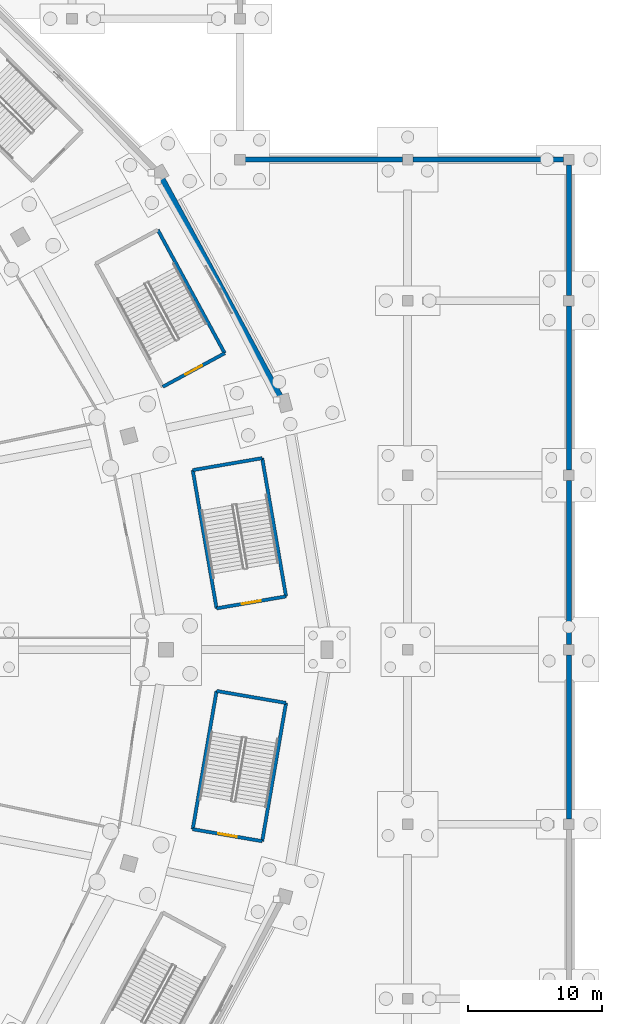
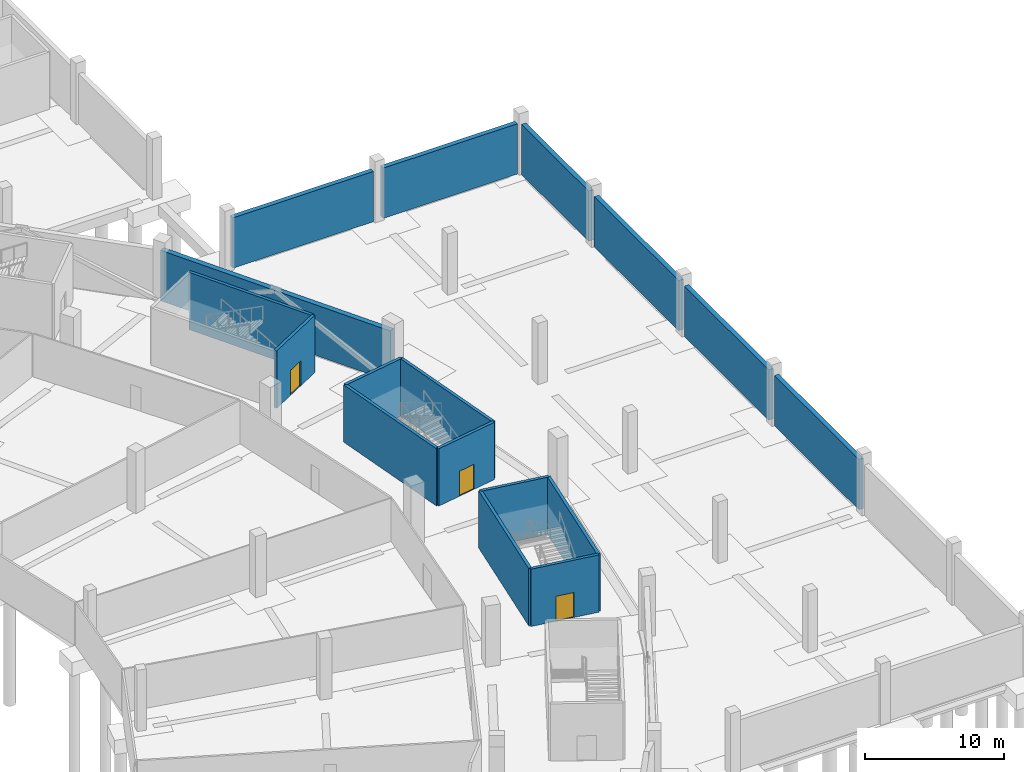
# One storey, part 44 of 74: 17 walls, 3 doors, 3 openings.
"""IFC4 building model written with IfcOpenShell, lengths in metres."""

import ifcopenshell
import ifcopenshell.guid

model = None  # the IFC model being written
_history = None  # IfcOwnerHistory: only IFC2X3 demands one
_inside = {}  # id of a spatial element -> (the spatial element, [elements in it])
_under = {}  # id of a project, library or spatial element -> (it, [spatial elements below it])
_declared = {}  # id of a project -> (the project, [libraries it declares])
_typed = {}  # id of a type object -> (the type object, [elements of that type])
_made_of = {}  # id of a material, layer set ... -> (it, [elements and type objects made of it])


def new_model(schema):
    """Start an empty IFC model of exactly this schema.

    Asked for "IFC4X3", IfcOpenShell would pick the latest addendum, in which some entities
    have other attributes; the version numbers below select the first issue.
    IFC2X3 requires an IfcOwnerHistory on every rooted entity: one is made here for all.
    """
    global model, _history
    if schema == "IFC4X3":
        model = ifcopenshell.file(schema_version=(4, 3, 0, 0))
    else:
        model = ifcopenshell.file(schema=schema)
    _inside.clear()
    _under.clear()
    _declared.clear()
    _typed.clear()
    _made_of.clear()
    _history = None
    if model.schema == "IFC2X3":
        org = make("IfcOrganization", Name="unknown")
        user = make(
            "IfcPersonAndOrganization",
            ThePerson=make("IfcPerson", FamilyName="unknown"),
            TheOrganization=org,
        )
        app = make(
            "IfcApplication",
            ApplicationDeveloper=org,
            Version="unknown",
            ApplicationFullName="unknown",
            ApplicationIdentifier="unknown",
        )
        _history = make(
            "IfcOwnerHistory",
            OwningUser=user,
            OwningApplication=app,
            ChangeAction="ADDED",
            CreationDate=0,
        )
    return model


def make(cls, **values):
    """One entity of the class cls with the attributes given. An attribute that is None is left unset."""
    return model.create_entity(
        cls, **{name: value for name, value in values.items() if value is not None}
    )


def rooted(cls, **values):
    """An entity with a GlobalId (a new one), such as an element, a storey or a relation."""
    return make(cls, GlobalId=ifcopenshell.guid.new(), OwnerHistory=_history, **values)


def si_unit(unit_type, name, prefix=None):
    """IfcSIUnit, for example si_unit("LENGTHUNIT", "METRE", prefix="MILLI")."""
    return make("IfcSIUnit", UnitType=unit_type, Prefix=prefix, Name=name)


def assignment(units):
    """IfcUnitAssignment: the units of a project."""
    return None if units is None else make("IfcUnitAssignment", Units=units)


def point(xyz):
    """IfcCartesianPoint."""
    return None if xyz is None else make("IfcCartesianPoint", Coordinates=xyz)


def direction(xyz):
    """IfcDirection."""
    return None if xyz is None else make("IfcDirection", DirectionRatios=xyz)


def frame(location, z_axis=None, x_axis=None):
    """IfcAxis2Placement3D, a coordinate frame: its origin and axes. An axis left out is left unset."""
    return make(
        "IfcAxis2Placement3D",
        Location=point(location),
        Axis=direction(z_axis),
        RefDirection=direction(x_axis),
    )


def frame_2d(location, x_axis=None):
    """IfcAxis2Placement2D, a coordinate frame in the plane: its origin and x axis."""
    return make(
        "IfcAxis2Placement2D", Location=point(location), RefDirection=direction(x_axis)
    )


def origin():
    """The frame at (0, 0, 0) with its axes left unset."""
    return frame((0.0, 0.0, 0.0))


def place(relative_to, where):
    """IfcLocalPlacement: puts the frame where relative to a parent placement (None: the world)."""
    return make(
        "IfcLocalPlacement", PlacementRelTo=relative_to, RelativePlacement=where
    )


def context(
    kind, dimensions, precision=None, world=None, true_north=None, identifier=None
):
    """IfcGeometricRepresentationContext, for example the 3D "Model" context."""
    return make(
        "IfcGeometricRepresentationContext",
        ContextIdentifier=identifier,
        ContextType=kind,
        CoordinateSpaceDimension=dimensions,
        Precision=precision,
        WorldCoordinateSystem=world,
        TrueNorth=true_north,
    )


def subcontext(parent, identifier, kind, view, scale=None):
    """IfcGeometricRepresentationSubContext, for example "Body" below "Model"."""
    return make(
        "IfcGeometricRepresentationSubContext",
        ContextIdentifier=identifier,
        ContextType=kind,
        ParentContext=parent,
        TargetScale=scale,
        TargetView=view,
    )


def project(units=None, contexts=None):
    """IfcProject with its units and contexts."""
    return rooted(
        "IfcProject",
        Name="project",
        RepresentationContexts=contexts,
        UnitsInContext=assignment(units),
    )


def spatial(cls, under=None, at=None, **own):
    """A site, building, storey or space (cls), placed at a placement, below another one or the project."""
    s = rooted(cls, ObjectPlacement=at, **own)
    if under is not None:
        _under.setdefault(under.id(), (under, []))[1].append(s)
    return s


def profile(cls, at=None, kind="AREA", **sizes):
    """A parametric profile (cls). Its sizes go by their IFC names, for example OverallWidth=200.0."""
    return make(cls, ProfileType=kind, Position=at, **sizes)


def rectangle(**sizes):
    """IfcRectangleProfileDef."""
    return profile("IfcRectangleProfileDef", **sizes)


def extrude(swept, where, along, depth):
    """IfcExtrudedAreaSolid: the profile swept, set in the frame where, extruded along a direction by depth."""
    return make(
        "IfcExtrudedAreaSolid",
        SweptArea=swept,
        Position=where,
        ExtrudedDirection=direction(along),
        Depth=depth,
    )


def shape(context_of_items, identifier, shape_type, items):
    """IfcShapeRepresentation: the items that make up one representation, for example the "Body"."""
    return make(
        "IfcShapeRepresentation",
        ContextOfItems=context_of_items,
        RepresentationIdentifier=identifier,
        RepresentationType=shape_type,
        Items=items,
    )


def material(Name=None, Category=None):
    """IfcMaterial."""
    return make("IfcMaterial", Name=Name, Category=Category)


def layer(
    of_material, thickness, ventilated=None, Name=None, Category=None, Priority=None
):
    """IfcMaterialLayer: one layer of a wall or slab, of a material (None: an air gap)."""
    return make(
        "IfcMaterialLayer",
        Material=of_material,
        LayerThickness=thickness,
        IsVentilated=ventilated,
        Name=Name,
        Category=Category,
        Priority=Priority,
    )


def layer_set(layers, Name=None):
    """IfcMaterialLayerSet."""
    return make("IfcMaterialLayerSet", MaterialLayers=layers, LayerSetName=Name)


def made_of(thing, what):
    """Note that an element or type object is made of a material, layer set ...; save() writes the relation."""
    if what is not None:
        _made_of.setdefault(what.id(), (what, []))[1].append(thing)
    return thing


def type_object(cls, material=None, **own):
    """A type object (cls), such as IfcWallType, which elements share."""
    return made_of(rooted(cls, **own), material)


def element(
    cls,
    number,
    at=None,
    inside=None,
    cuts=None,
    type_object=None,
    material=None,
    context=None,
    identifier="Body",
    shape_type=None,
    held_by="IfcProductDefinitionShape",
    body=None,
    shapes=None,
    **own,
):
    """One element of the class cls, such as IfcWall. Its Tag is "e" and its number.

    at: its placement. inside: the storey or other place that contains it. cuts: it is an
    opening in that element (IfcRelVoidsElement). A single representation is given by context,
    identifier, shape_type and body (its items); several are given by shapes. held_by: the class
    of the entity that holds the representations. save() writes the other relations.
    """
    e = rooted(cls, Tag="e%d" % number, ObjectPlacement=at, **own)
    if body is not None:
        shapes = [shape(context, identifier, shape_type, body)]
    if shapes is not None:
        e.Representation = make(held_by, Representations=shapes)
    if inside is not None:
        _inside.setdefault(inside.id(), (inside, []))[1].append(e)
    if cuts is not None:
        rooted(
            "IfcRelVoidsElement", RelatingBuildingElement=cuts, RelatedOpeningElement=e
        )
    if type_object is not None:
        _typed.setdefault(type_object.id(), (type_object, []))[1].append(e)
    return made_of(e, material)


def fill(opening, filler):
    """IfcRelFillsElement: the door or window that sits in an opening."""
    return rooted(
        "IfcRelFillsElement",
        RelatingOpeningElement=opening,
        RelatedBuildingElement=filler,
    )


def aggregate(whole, parts):
    """IfcRelAggregates: a whole, such as a stair, and the parts it consists of."""
    return rooted("IfcRelAggregates", RelatingObject=whole, RelatedObjects=parts)


def save(model, path):
    """Write the relations noted so far, then the file.

    IfcRelAggregates (storeys below a building ...), IfcRelContainedInSpatialStructure (elements
    in a storey), IfcRelDefinesByType, IfcRelAssociatesMaterial and IfcRelDeclares: one each for
    every whole, place, type object, material and project.
    """
    for whole, parts in _under.values():
        aggregate(whole, parts)
    for where, things in _inside.values():
        rooted(
            "IfcRelContainedInSpatialStructure",
            RelatedElements=things,
            RelatingStructure=where,
        )
    for kind, things in _typed.values():
        rooted("IfcRelDefinesByType", RelatedObjects=things, RelatingType=kind)
    for what, things in _made_of.values():
        rooted("IfcRelAssociatesMaterial", RelatedObjects=things, RelatingMaterial=what)
    for by, libraries in _declared.values():
        rooted("IfcRelDeclares", RelatingContext=by, RelatedDefinitions=libraries)
    model.write(path)


model = new_model("IFC4")

# Units and contexts
model_context = context("Model", 3, precision=1e-05, world=origin(), true_north=direction((0.0, 1.0)))
body_context = subcontext(model_context, "Body", "Model", "MODEL_VIEW")
ifc_project = project(units=[si_unit("LENGTHUNIT", "METRE"), si_unit("AREAUNIT", "SQUARE_METRE"), si_unit("VOLUMEUNIT", "CUBIC_METRE"), si_unit("PLANEANGLEUNIT", "RADIAN"), si_unit("MASSUNIT", "GRAM", prefix="KILO")], contexts=[model_context])

# Site, building, storey
site_placement = place(None, origin())
site = spatial("IfcSite", under=ifc_project, at=site_placement, CompositionType="ELEMENT")
building_placement = place(site_placement, origin())
building = spatial("IfcBuilding", under=site, at=building_placement, Name="Zlatoyarsky Gate Stadium", CompositionType="ELEMENT")
storey_placement = place(building_placement, frame((0.0, 0.0, -5.39990234375)))
storey = spatial("IfcBuildingStorey", under=building, at=storey_placement, Name="B1", CompositionType="ELEMENT", Elevation=-5.39990234375)

# Walls
ifc_material_1 = material(Name="Concrete C35/45", Category="concrete")
ifc_layer_1 = layer(ifc_material_1, 0.419921875)
ifc_layer_set_1 = layer_set([ifc_layer_1], Name="Concrete C35/45")
wall_type_1 = type_object("IfcWallType", Name="CONCRETE BASEMENT RETAINING WALL 420", PredefinedType="SOLIDWALL", material=ifc_layer_set_1)
wall_1_placement = place(storey_placement, frame((200.78271484375, 98.36328125, 0.0), z_axis=(0.0, 0.0, 1.0), x_axis=(-0.476947954388, 0.878931538178, 0.0)))
element("IfcWall", 1, at=wall_1_placement, inside=storey, type_object=wall_type_1, Name="B1 perimeter retaining wall sector 01", PredefinedType="SOLIDWALL", context=body_context, shape_type="SweptSolid", body=[
    extrude(rectangle(XDim=19.468994140625, YDim=0.419921875, at=frame_2d((9.734375, 0.0))), origin(), (0.0, 0.0, 1.0), 4.449951171875),
])
ifc_layer_2 = layer(ifc_material_1, 0.3798828125)
ifc_layer_set_2 = layer_set([ifc_layer_2], Name="Concrete C35/45")
wall_type_2 = type_object("IfcWallType", Name="CONCRETE RAMP RETAINING WALL 380", PredefinedType="SOLIDWALL", material=ifc_layer_set_2)
for number, where, z_axis, x_axis, name in (
    (2, (222.0, 67.39697265625, 0.0), (0.0, 0.0, 1.0), (0.0, 1.0, 0.0), "V5_EAST B1 E_LO exterior wall"),
    (3, (222.0, 80.39697265625, 0.0), (0.0, 0.0, 1.0), (0.0, 1.0, 0.0), "V5_EAST B1 E_LO exterior wall"),
    (4, (222.0, 93.39697265625, 0.0), (0.0, 0.0, 1.0), (0.0, 1.0, 0.0), "V5_EAST B1 E_LO exterior wall"),
):
    element("IfcWall", number, at=place(storey_placement, frame(where, z_axis=z_axis, x_axis=x_axis)), inside=storey, type_object=wall_type_2, Name=name, PredefinedType="SOLIDWALL", context=body_context, shape_type="SweptSolid", body=[
        extrude(rectangle(XDim=12.2060546875, YDim=0.3798828125, at=frame_2d((6.10302734375, 0.0))), origin(), (0.0, 0.0, 1.0), 4.429931640625),
    ])
wall_2_placement = place(storey_placement, frame((222.0, 106.39697265625, 0.0), z_axis=(0.0, 0.0, 1.0), x_axis=(0.0, 1.0, 0.0)))
element("IfcWall", 5, at=wall_2_placement, inside=storey, type_object=wall_type_2, Name="V5_EAST B1 E_LO exterior wall", PredefinedType="SOLIDWALL", context=body_context, shape_type="SweptSolid", body=[
    extrude(rectangle(XDim=9.7060546875, YDim=0.3798828125, at=frame_2d((4.85302734375, 0.0))), origin(), (0.0, 0.0, 1.0), 4.429931640625),
])
wall_3_placement = place(storey_placement, frame((197.89697265625, 116.5, 0.0), z_axis=(0.0, 0.0, 1.0), x_axis=(1.0, 0.0, 0.0)))
element("IfcWall", 6, at=wall_3_placement, inside=storey, type_object=wall_type_2, Name="V5_EAST B1 N exterior wall", PredefinedType="SOLIDWALL", context=body_context, shape_type="SweptSolid", body=[
    extrude(rectangle(XDim=11.7060546875, YDim=0.3798828125, at=frame_2d((5.85302734375, 0.0))), origin(), (0.0, 0.0, 1.0), 4.429931640625),
])
wall_4_placement = place(storey_placement, frame((210.39697265625, 116.5, 0.0), z_axis=(0.0, 0.0, 1.0), x_axis=(1.0, 0.0, 0.0)))
element("IfcWall", 7, at=wall_4_placement, inside=storey, type_object=wall_type_2, Name="V5_EAST B1 N exterior wall", PredefinedType="SOLIDWALL", context=body_context, shape_type="SweptSolid", body=[
    extrude(rectangle(XDim=11.2060546875, YDim=0.3798828125, at=frame_2d((5.60302734375, 0.0))), origin(), (0.0, 0.0, 1.0), 4.429931640625),
])

# Wall, opening, door
ifc_material_2 = material(Name="Concrete C40/50", Category="concrete")
ifc_layer_3 = layer(ifc_material_2, 0.25)
ifc_layer_set_3 = layer_set([ifc_layer_3], Name="Concrete C40/50")
wall_type_3 = type_object("IfcWallType", Name="CONCRETE STAIR CORE SHEAR WALL 250", PredefinedType="SHEAR", material=ifc_layer_set_3)
wall_5_placement = place(storey_placement, frame((195.762451171875, 83.07666015625, 0.0), z_axis=(0.0, 0.0, 1.0), x_axis=(0.985457162135, 0.16992404655, 0.0)))
wall_5 = element("IfcWall", 8, at=wall_5_placement, inside=storey, type_object=wall_type_3, Name="ST-01 B1 stair core entrance shear wall", PredefinedType="SHEAR", context=body_context, shape_type="SweptSolid", body=[
    extrude(rectangle(XDim=5.25, YDim=0.25, at=frame_2d((2.625, 0.0))), origin(), (0.0, 0.0, 1.0), 5.0498046875),
])
opening_1_placement = place(wall_5_placement, frame((1.925048828125, 0.0, 0.0)))
opening_1 = element("IfcOpeningElement", 9, at=opening_1_placement, cuts=wall_5, Name="Opening SD-ST-01-B1", PredefinedType="OPENING", context=body_context, shape_type="SweptSolid", body=[
    extrude(rectangle(XDim=1.39990234375, YDim=2.199951171875, at=frame_2d((0.699951171875, 1.10009765625))), frame((0.0, 0.135009765625, 0.0), z_axis=(0.0, -1.0, 0.0), x_axis=(1.0, 0.0, 0.0)), (0.0, 0.0, 1.0), 0.27001953125),
])
ifc_material_3 = material(Name="Powder-coated steel fire door", Category="steel")
door_type = type_object("IfcDoorType", Name="STAIR CORE FIRE EXIT DOOR 1400X2200", OperationType="NOTDEFINED", PredefinedType="DOOR", material=ifc_material_3)
door_1_placement = place(opening_1_placement, frame((1.39990234375, 0.0, 0.0), z_axis=(0.0, 0.0, 1.0), x_axis=(-1.0, 0.0, 0.0)))
door_1 = element("IfcDoor", 10, at=door_1_placement, inside=storey, type_object=door_type, Name="ST-01 B1 stair fire door", OperationType="SINGLE_SWING_LEFT", OverallHeight=2.199951171875, OverallWidth=1.39990234375, PredefinedType="DOOR", context=body_context, shape_type="SweptSolid", body=[
    extrude(rectangle(XDim=1.39990234375, YDim=2.199951171875, at=frame_2d((0.699951171875, 1.10009765625))), frame((0.0, 0.02490234375, 0.0), z_axis=(0.0, -1.0, 0.0), x_axis=(1.0, 0.0, 0.0)), (0.0, 0.0, 1.0), 0.050048828125),
])
fill(opening_1, door_1)

# Walls
wall_6_placement = place(storey_placement, frame((200.93603515625, 83.96875, 0.0), z_axis=(0.0, 0.0, 1.0), x_axis=(-0.169938992676, 0.985454584833, 0.0)))
element("IfcWall", 11, at=wall_6_placement, inside=storey, type_object=wall_type_3, Name="ST-01 B1 stair core left shear wall", PredefinedType="SHEAR", context=body_context, shape_type="SweptSolid", body=[
    extrude(rectangle(XDim=10.4501953125, YDim=0.25, at=frame_2d((5.22509765625, 0.0))), origin(), (0.0, 0.0, 1.0), 5.0498046875),
])
wall_7_placement = place(storey_placement, frame((199.16015625, 94.266845703125, 0.0), z_axis=(0.0, 0.0, 1.0), x_axis=(-0.985457162135, -0.16992404655, 0.0)))
element("IfcWall", 12, at=wall_7_placement, inside=storey, type_object=wall_type_3, Name="ST-01 B1 stair core far shear wall", PredefinedType="SHEAR", context=body_context, shape_type="SweptSolid", body=[
    extrude(rectangle(XDim=5.25, YDim=0.25, at=frame_2d((2.625, 0.0))), origin(), (0.0, 0.0, 1.0), 5.0498046875),
])
wall_8_placement = place(storey_placement, frame((193.986572265625, 93.374755859375, 0.0), z_axis=(0.0, 0.0, 1.0), x_axis=(0.169938992676, -0.985454584833, 0.0)))
element("IfcWall", 13, at=wall_8_placement, inside=storey, type_object=wall_type_3, Name="ST-01 B1 stair core right shear wall", PredefinedType="SHEAR", context=body_context, shape_type="SweptSolid", body=[
    extrude(rectangle(XDim=10.4501953125, YDim=0.25, at=frame_2d((5.22509765625, 0.0))), origin(), (0.0, 0.0, 1.0), 5.0498046875),
])

# Wall, opening, door
wall_9_placement = place(storey_placement, frame((191.753662109375, 99.579833984375, 0.0), z_axis=(0.0, 0.0, 1.0), x_axis=(0.878961487093, 0.47689275965, 0.0)))
wall_9 = element("IfcWall", 14, at=wall_9_placement, inside=storey, type_object=wall_type_3, Name="ST-13 B1 stair core entrance shear wall", PredefinedType="SHEAR", context=body_context, shape_type="SweptSolid", body=[
    extrude(rectangle(XDim=5.25, YDim=0.25, at=frame_2d((2.625, 0.0))), origin(), (0.0, 0.0, 1.0), 5.0498046875),
])
opening_2_placement = place(wall_9_placement, frame((1.925048828125, 0.0, 0.0)))
opening_2 = element("IfcOpeningElement", 15, at=opening_2_placement, cuts=wall_9, Name="Opening SD-ST-13-B1", PredefinedType="OPENING", context=body_context, shape_type="SweptSolid", body=[
    extrude(rectangle(XDim=1.39990234375, YDim=2.199951171875, at=frame_2d((0.699951171875, 1.10009765625))), frame((0.0, 0.135009765625, 0.0), z_axis=(0.0, -1.0, 0.0), x_axis=(1.0, 0.0, 0.0)), (0.0, 0.0, 1.0), 0.27001953125),
])
door_2_placement = place(opening_2_placement, frame((1.39990234375, 0.0, 0.0), z_axis=(0.0, 0.0, 1.0), x_axis=(-1.0, 0.0, 0.0)))
door_2 = element("IfcDoor", 16, at=door_2_placement, inside=storey, type_object=door_type, Name="ST-13 B1 stair fire door", OperationType="SINGLE_SWING_LEFT", OverallHeight=2.199951171875, OverallWidth=1.39990234375, PredefinedType="DOOR", context=body_context, shape_type="SweptSolid", body=[
    extrude(rectangle(XDim=1.39990234375, YDim=2.199951171875, at=frame_2d((0.699951171875, 1.10009765625))), frame((0.0, 0.02490234375, 0.0), z_axis=(0.0, -1.0, 0.0), x_axis=(1.0, 0.0, 0.0)), (0.0, 0.0, 1.0), 0.050048828125),
])
fill(opening_2, door_2)

# Wall
wall_10_placement = place(storey_placement, frame((196.3681640625, 102.08349609375, 0.0), z_axis=(0.0, 0.0, 1.0), x_axis=(-0.476876856974, 0.878970115125, 0.0)))
element("IfcWall", 17, at=wall_10_placement, inside=storey, type_object=wall_type_3, Name="ST-13 B1 stair core left shear wall", PredefinedType="SHEAR", context=body_context, shape_type="SweptSolid", body=[
    extrude(rectangle(XDim=10.4501953125, YDim=0.25, at=frame_2d((5.22509765625, 0.0))), origin(), (0.0, 0.0, 1.0), 5.0498046875),
])

# Wall, opening, door
wall_11_placement = place(storey_placement, frame((193.98681640625, 66.625244140625, 0.0), z_axis=(0.0, 0.0, 1.0), x_axis=(0.985457162135, -0.16992404655, 0.0)))
wall_11 = element("IfcWall", 18, at=wall_11_placement, inside=storey, type_object=wall_type_3, Name="ST-20 B1 stair core entrance shear wall", PredefinedType="SHEAR", context=body_context, shape_type="SweptSolid", body=[
    extrude(rectangle(XDim=5.25, YDim=0.25, at=frame_2d((2.625, 0.0))), origin(), (0.0, 0.0, 1.0), 5.0498046875),
])
opening_3_placement = place(wall_11_placement, frame((1.925048828125, 0.0, 0.0)))
opening_3 = element("IfcOpeningElement", 19, at=opening_3_placement, cuts=wall_11, Name="Opening SD-ST-20-B1", PredefinedType="OPENING", context=body_context, shape_type="SweptSolid", body=[
    extrude(rectangle(XDim=1.39990234375, YDim=2.199951171875, at=frame_2d((0.699951171875, 1.10009765625))), frame((0.0, 0.135009765625, 0.0), z_axis=(0.0, -1.0, 0.0), x_axis=(1.0, 0.0, 0.0)), (0.0, 0.0, 1.0), 0.27001953125),
])
door_3_placement = place(opening_3_placement, frame((1.39990234375, 0.0, 0.0), z_axis=(0.0, 0.0, 1.0), x_axis=(-1.0, 0.0, 0.0)))
door_3 = element("IfcDoor", 20, at=door_3_placement, inside=storey, type_object=door_type, Name="ST-20 B1 stair fire door", OperationType="SINGLE_SWING_LEFT", OverallHeight=2.199951171875, OverallWidth=1.39990234375, PredefinedType="DOOR", context=body_context, shape_type="SweptSolid", body=[
    extrude(rectangle(XDim=1.39990234375, YDim=2.199951171875, at=frame_2d((0.699951171875, 1.10009765625))), frame((0.0, 0.02490234375, 0.0), z_axis=(0.0, -1.0, 0.0), x_axis=(1.0, 0.0, 0.0)), (0.0, 0.0, 1.0), 0.050048828125),
])
fill(opening_3, door_3)

# Walls
wall_12_placement = place(storey_placement, frame((199.160400390625, 65.733154296875, 0.0), z_axis=(0.0, 0.0, 1.0), x_axis=(0.169938992676, 0.985454584833, 0.0)))
element("IfcWall", 21, at=wall_12_placement, inside=storey, type_object=wall_type_3, Name="ST-20 B1 stair core left shear wall", PredefinedType="SHEAR", context=body_context, shape_type="SweptSolid", body=[
    extrude(rectangle(XDim=10.4501953125, YDim=0.25, at=frame_2d((5.22509765625, 0.0))), origin(), (0.0, 0.0, 1.0), 5.0498046875),
])
wall_13_placement = place(storey_placement, frame((200.936279296875, 76.03125, 0.0), z_axis=(0.0, 0.0, 1.0), x_axis=(-0.985458504796, 0.169916259745, 0.0)))
element("IfcWall", 22, at=wall_13_placement, inside=storey, type_object=wall_type_3, Name="ST-20 B1 stair core far shear wall", PredefinedType="SHEAR", context=body_context, shape_type="SweptSolid", body=[
    extrude(rectangle(XDim=5.250244140625, YDim=0.25, at=frame_2d((2.625, 0.0))), origin(), (0.0, 0.0, 1.0), 5.0498046875),
])
wall_14_placement = place(storey_placement, frame((195.762451171875, 76.92333984375, 0.0), z_axis=(0.0, 0.0, 1.0), x_axis=(-0.16991630471, -0.985458497043, 0.0)))
element("IfcWall", 23, at=wall_14_placement, inside=storey, type_object=wall_type_3, Name="ST-20 B1 stair core right shear wall", PredefinedType="SHEAR", context=body_context, shape_type="SweptSolid", body=[
    extrude(rectangle(XDim=10.449951171875, YDim=0.25, at=frame_2d((5.22509765625, 0.0))), origin(), (0.0, 0.0, 1.0), 5.0498046875),
])

save(model, "model.ifc")
